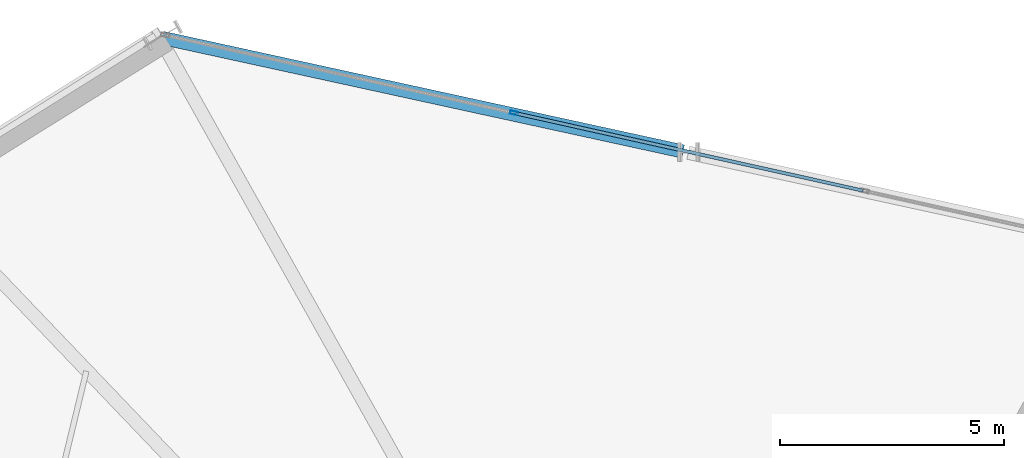
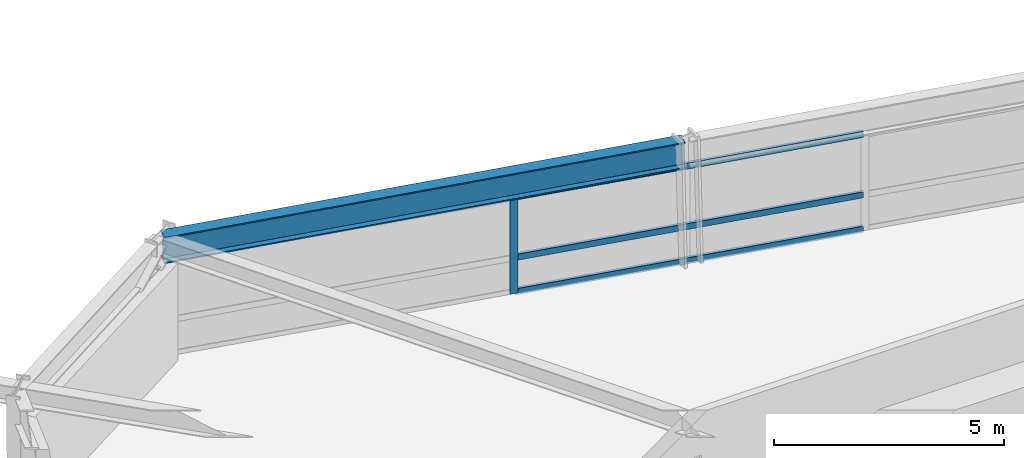
# One storey, part 12 of 24: 4 members, 1 beam, 1 element without a shape of its own.
"""IFC4 building model written with IfcOpenShell, lengths in metres."""

from ifc_helpers import new_model, si_unit, direction, frame, origin, origin_2d, place, context, subcontext, project, spatial, hollow_rectangle, i_section, extrude, source, transform, mapped, material, material_profile, profile_set, type_object, element, aggregate, save


model = new_model("IFC4")

# Units and contexts
model_context = context("Model", 3, precision=1e-05, world=origin(), true_north=direction((0.0, 1.0)))
body_context = subcontext(model_context, "Body", "Model", "MODEL_VIEW")
ifc_project = project(units=[si_unit("LENGTHUNIT", "METRE"), si_unit("AREAUNIT", "SQUARE_METRE"), si_unit("VOLUMEUNIT", "CUBIC_METRE"), si_unit("PLANEANGLEUNIT", "RADIAN"), si_unit("MASSUNIT", "GRAM", prefix="KILO")], contexts=[model_context])

# Site, building, storey
site_placement = place(None, origin())
site = spatial("IfcSite", under=ifc_project, at=site_placement, CompositionType="ELEMENT")
building_placement = place(site_placement, origin())
building = spatial("IfcBuilding", under=site, at=building_placement, Name="Olszyna Solenne Hotel", CompositionType="ELEMENT")
storey_placement = place(building_placement, frame((0.0, 0.0, 36.39990234375)))
storey = spatial("IfcBuildingStorey", under=building, at=storey_placement, Name="L08", CompositionType="ELEMENT", Elevation=36.39990234375)

# Beam
ifc_material_1 = material(Name="Steel S355J2", Category="steel")
ifc_material_profile_1 = material_profile(ifc_material_1, i_section(OverallWidth=0.300048828125, OverallDepth=0.699951171875, WebThickness=0.01708984375, FlangeThickness=0.031982421875, at=origin_2d()), Name="HEB 700", Category="load-bearing")
ifc_profile_set_1 = profile_set([ifc_material_profile_1], Name="Steel S355J2")
beam_type = type_object("IfcBeamType", Name="BM-S1", PredefinedType="BEAM", material=ifc_profile_set_1)
shared_shape_1 = source(origin(), body_context, "Body", "SweptSolid", [
    extrude(i_section(OverallWidth=0.300048828125, OverallDepth=0.699951171875, WebThickness=0.01708984375, FlangeThickness=0.031982421875, at=origin_2d()), origin(), (0.0, 0.0, 1.0), 11.89599609375),
])
beam_placement = place(storey_placement, frame((37.61328125, 45.58837890625, 2.9501953125), z_axis=(-0.977028504647, 0.213108660328, 0.0), x_axis=(-0.213108660328, -0.977028504647, 0.0)))
element("IfcBeam", 1, at=beam_placement, inside=storey, type_object=beam_type, Name="Perimeter spandrel beam BM-S1 B-L08-0263", PredefinedType="BEAM", context=body_context, shape_type="MappedRepresentation", body=[
    mapped(shared_shape_1, transform((0.0, 0.0, 0.0), x_axis=(1.0, 0.0, 0.0), y_axis=(0.0, 1.0, 0.0), z_axis=(0.0, 0.0, 1.0), scale=1.0)),
])

# Curtain wall, members
ifc_material_2 = material(Name="Anodised bronze aluminium", Category="aluminium")
curtain_wall_type = type_object("IfcCurtainWallType", Name="CW-SYS-2", PredefinedType="NOTDEFINED", material=ifc_material_2)
curtain_wall_placement = place(storey_placement, origin())
curtain_wall = element("IfcCurtainWall", 2, at=curtain_wall_placement, inside=storey, type_object=curtain_wall_type, Name="Unitised curtain wall CW-SYS-2 CW-L08-02", PredefinedType="NOTDEFINED")
ifc_material_profile_2 = material_profile(ifc_material_2, hollow_rectangle(XDim=0.074951171875, YDim=0.179931640625, WallThickness=0.00439453125, at=origin_2d()), Name="MULL 180x75x4.5", Category="load-bearing")
ifc_profile_set_2 = profile_set([ifc_material_profile_2], Name="Anodised bronze aluminium")
member_type_1 = type_object("IfcMemberType", Name="CW-M2", PredefinedType="MULLION", material=ifc_profile_set_2)
shared_shape_2 = source(origin(), body_context, "Body", "SweptSolid", [
    extrude(hollow_rectangle(XDim=0.074951171875, YDim=0.179931640625, WallThickness=0.00439453125, at=origin_2d()), origin(), (0.0, 0.0, 1.0), 2.592041015625),
])
member_1_placement = place(storey_placement, frame((33.84521484375, 46.44775390625, 0.0), z_axis=(0.0, 0.0, 1.0), x_axis=(0.217365299555, 0.976090327044, 0.0)))
member_1 = element("IfcMember", 3, at=member_1_placement, type_object=member_type_1, Name="Curtain-wall mullion CW-M2 CM-L08-02-02", PredefinedType="MULLION", context=body_context, shape_type="MappedRepresentation", body=[
    mapped(shared_shape_2, transform((0.0, 0.0, 0.0), x_axis=(1.0, 0.0, 0.0), y_axis=(0.0, 1.0, 0.0), z_axis=(0.0, 0.0, 1.0), scale=1.0)),
])
ifc_material_profile_3 = material_profile(ifc_material_2, hollow_rectangle(XDim=0.074951171875, YDim=0.159912109375, WallThickness=0.00390625, at=origin_2d()), Name="TRAN 160x75x4", Category="load-bearing")
ifc_profile_set_3 = profile_set([ifc_material_profile_3], Name="Anodised bronze aluminium")
member_type_2 = type_object("IfcMemberType", Name="CW-T1", PredefinedType="USERDEFINED", material=ifc_profile_set_3)
shared_shape_3 = source(origin(), body_context, "Body", "SweptSolid", [
    extrude(hollow_rectangle(XDim=0.074951171875, YDim=0.159912109375, WallThickness=0.00390625, at=origin_2d()), origin(), (0.0, 0.0, 1.0), 7.935546875),
])
member_2_placement = place(storey_placement, frame((33.8818359375, 46.439453125, 0.03759765625), z_axis=(0.976092137257, -0.21735717054, 0.0), x_axis=(0.21735717054, 0.976092137257, 0.0)))
member_2 = element("IfcMember", 4, at=member_2_placement, type_object=member_type_2, Name="Curtain-wall transom CW-T1 CT-L08-02-04", ObjectType="TRANSOM", PredefinedType="USERDEFINED", context=body_context, shape_type="MappedRepresentation", body=[
    mapped(shared_shape_3, transform((0.0, 0.0, 0.0), x_axis=(1.0, 0.0, 0.0), y_axis=(0.0, 1.0, 0.0), z_axis=(0.0, 0.0, 1.0), scale=1.0)),
])
member_3_placement = place(storey_placement, frame((33.8818359375, 46.439453125, 0.9501953125), z_axis=(0.976092137257, -0.21735717054, 0.0), x_axis=(0.21735717054, 0.976092137257, 0.0)))
member_3 = element("IfcMember", 5, at=member_3_placement, type_object=member_type_2, Name="Curtain-wall transom CW-T1 CT-L08-02-05", ObjectType="TRANSOM", PredefinedType="USERDEFINED", context=body_context, shape_type="MappedRepresentation", body=[
    mapped(shared_shape_3, transform((0.0, 0.0, 0.0), x_axis=(1.0, 0.0, 0.0), y_axis=(0.0, 1.0, 0.0), z_axis=(0.0, 0.0, 1.0), scale=1.0)),
])
member_4_placement = place(storey_placement, frame((33.8818359375, 46.439453125, 2.5546875), z_axis=(0.976092137257, -0.21735717054, 0.0), x_axis=(0.21735717054, 0.976092137257, 0.0)))
member_4 = element("IfcMember", 6, at=member_4_placement, type_object=member_type_2, Name="Curtain-wall transom CW-T1 CT-L08-02-06", ObjectType="TRANSOM", PredefinedType="USERDEFINED", context=body_context, shape_type="MappedRepresentation", body=[
    mapped(shared_shape_3, transform((0.0, 0.0, 0.0), x_axis=(1.0, 0.0, 0.0), y_axis=(0.0, 1.0, 0.0), z_axis=(0.0, 0.0, 1.0), scale=1.0)),
])
aggregate(curtain_wall, [member_1, member_2, member_3, member_4])

save(model, "model.ifc")
